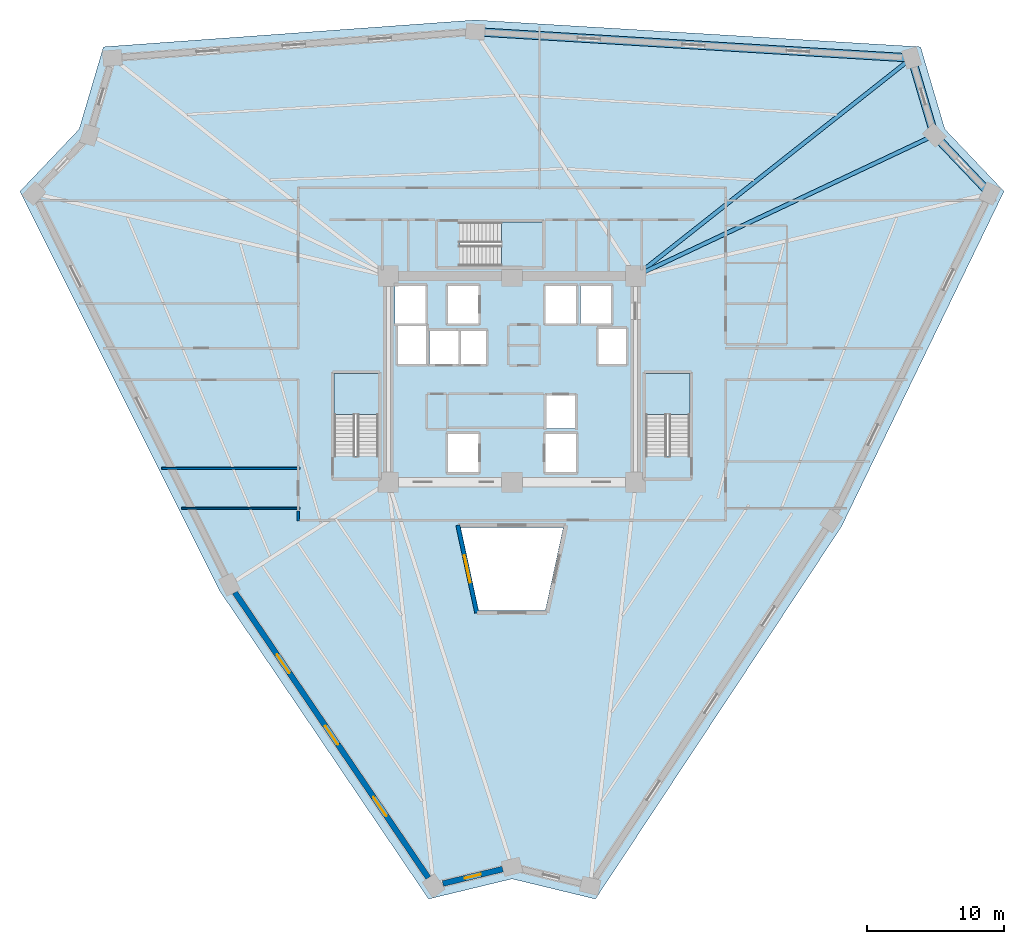
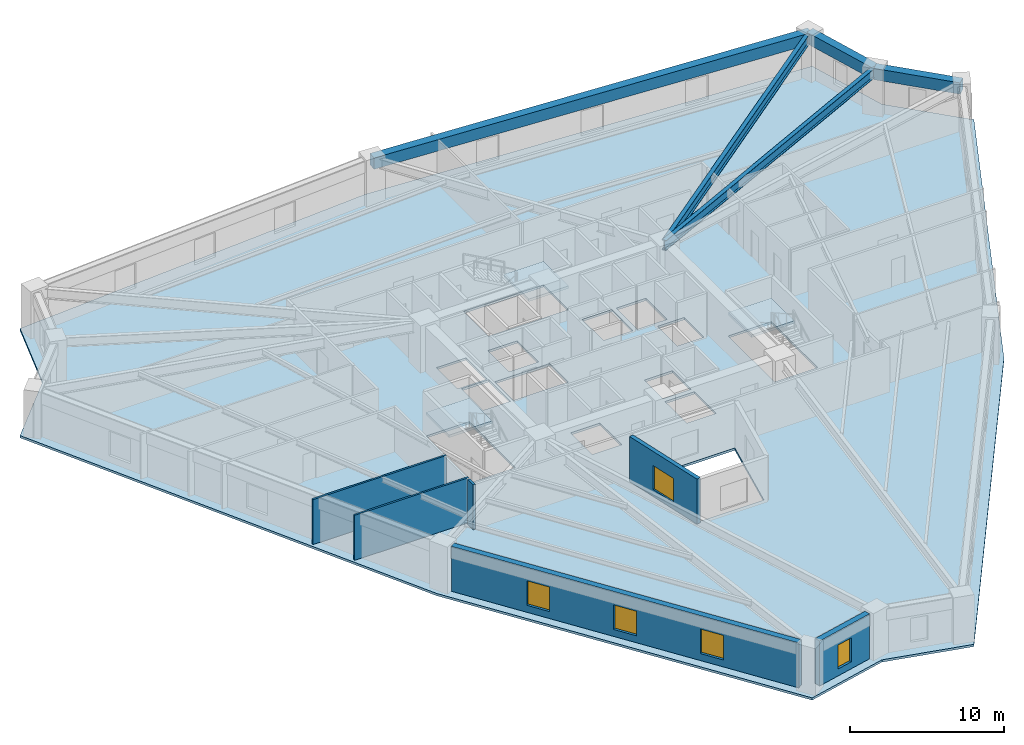
# One storey, part 2 of 8: 6 walls, 5 beams, 5 windows, 4 slabs, 5 openings, 3 elements without a shape of their own.
"""IFC4 building model written with IfcOpenShell, lengths in metres."""

from ifc_helpers import new_model, si_unit, direction, frame, frame_2d, origin, origin_2d, place, context, subcontext, project, spatial, polyline, rectangle, i_section, outline, extrude, source, transform, mapped, material, layer, layer_set, material_profile, profile_set, type_object, element, fill, aggregate, save


model = new_model("IFC4")

# Units and contexts
model_context = context("Model", 3, precision=1e-05, world=origin(), true_north=direction((0.0, 1.0)))
body_context = subcontext(model_context, "Body", "Model", "MODEL_VIEW")
ifc_project = project(units=[si_unit("LENGTHUNIT", "METRE"), si_unit("AREAUNIT", "SQUARE_METRE"), si_unit("VOLUMEUNIT", "CUBIC_METRE"), si_unit("PLANEANGLEUNIT", "RADIAN"), si_unit("MASSUNIT", "GRAM", prefix="KILO")], contexts=[model_context])

# Site, building, storey
site_placement = place(None, origin())
site = spatial("IfcSite", under=ifc_project, at=site_placement, CompositionType="ELEMENT")
building_placement = place(site_placement, origin())
building = spatial("IfcBuilding", under=site, at=building_placement, Name="Liaohun Quay Tower", CompositionType="ELEMENT")
storey_placement = place(building_placement, frame((0.0, 0.0, 170.25)))
storey = spatial("IfcBuildingStorey", under=building, at=storey_placement, Name="L44", CompositionType="ELEMENT", Elevation=170.25)

# Beams
ifc_material_1 = material(Name="Steel Q355D", Category="steel")
ifc_material_profile_1 = material_profile(ifc_material_1, i_section(OverallWidth=0.300048828125, OverallDepth=0.75, WebThickness=0.013916015625, FlangeThickness=0.02587890625, at=origin_2d()), Name="HN750x300x14x26")
ifc_profile_set_1 = profile_set([ifc_material_profile_1], Name="Steel Q355D")
beam_type_1 = type_object("IfcBeamType", Name="BM-RAD-M2", PredefinedType="BEAM", material=ifc_profile_set_1)
shared_shape_1 = source(origin(), body_context, "Body", "SweptSolid", [
    extrude(i_section(OverallWidth=0.300048828125, OverallDepth=0.75, WebThickness=0.013916015625, FlangeThickness=0.02587890625, at=origin_2d()), origin(), (0.0, 0.0, 1.0), 24.041015625),
])
beam_1_placement = place(storey_placement, frame((69.0, 61.5, 3.195068359375), z_axis=(0.904537729086, 0.426393593597, 0.0), x_axis=(-0.426393593597, 0.904537729086, 0.0)))
element("IfcBeam", 1, at=beam_1_placement, inside=storey, type_object=beam_type_1, Name="L44 Radial Primary Girder CC4-PC08", PredefinedType="BEAM", context=body_context, shape_type="MappedRepresentation", body=[
    mapped(shared_shape_1, transform((0.0, 0.0, 0.0), x_axis=(1.0, 0.0, 0.0), y_axis=(0.0, 1.0, 0.0), z_axis=(0.0, 0.0, 1.0), scale=1.0)),
])
ifc_material_profile_2 = material_profile(ifc_material_1, i_section(OverallWidth=0.300048828125, OverallDepth=0.800048828125, WebThickness=0.013916015625, FlangeThickness=0.02587890625, at=origin_2d()), Name="HN800x300x14x26")
ifc_profile_set_2 = profile_set([ifc_material_profile_2], Name="Steel Q355D")
beam_type_2 = type_object("IfcBeamType", Name="BM-RAD-M1", PredefinedType="BEAM", material=ifc_profile_set_2)
shared_shape_2 = source(origin(), body_context, "Body", "SweptSolid", [
    extrude(i_section(OverallWidth=0.300048828125, OverallDepth=0.800048828125, WebThickness=0.013916015625, FlangeThickness=0.02587890625, at=origin_2d()), origin(), (0.0, 0.0, 1.0), 25.60009765625),
])
beam_2_placement = place(storey_placement, frame((69.0, 61.5, 3.169921875), z_axis=(0.784728949554, 0.619839072447, 0.0), x_axis=(-0.619839072447, 0.784728949554, 0.0)))
element("IfcBeam", 2, at=beam_2_placement, inside=storey, type_object=beam_type_2, Name="L44 Radial Primary Girder CC4-PC07", PredefinedType="BEAM", context=body_context, shape_type="MappedRepresentation", body=[
    mapped(shared_shape_2, transform((0.0, 0.0, 0.0), x_axis=(1.0, 0.0, 0.0), y_axis=(0.0, 1.0, 0.0), z_axis=(0.0, 0.0, 1.0), scale=1.0)),
])
ifc_material_2 = material(Name="Precast concrete C55", Category="concrete")
ifc_material_profile_3 = material_profile(ifc_material_2, rectangle(XDim=0.60009765625, YDim=0.89990234375, at=origin_2d()), Name="RC600x900")
ifc_profile_set_3 = profile_set([ifc_material_profile_3], Name="Precast concrete C55")
beam_type_3 = type_object("IfcBeamType", Name="BM-SPD-Z2", PredefinedType="SPANDREL", material=ifc_profile_set_3)
shared_shape_3 = source(origin(), body_context, "Body", "SweptSolid", [
    extrude(rectangle(XDim=0.60009765625, YDim=0.89990234375, at=origin_2d()), origin(), (0.0, 0.0, 1.0), 31.817626953125),
])
beam_3_placement = place(storey_placement, frame((57.3291015625, 79.282958984375, 3.1201171875), z_axis=(0.998187067005, -0.060187866411, 0.0), x_axis=(0.060187866411, 0.998187067005, 0.0)))
element("IfcBeam", 3, at=beam_3_placement, inside=storey, type_object=beam_type_3, Name="L44 Precast Spandrel Beam PC06-PC07", PredefinedType="SPANDREL", context=body_context, shape_type="MappedRepresentation", body=[
    mapped(shared_shape_3, transform((0.0, 0.0, 0.0), x_axis=(1.0, 0.0, 0.0), y_axis=(0.0, 1.0, 0.0), z_axis=(0.0, 0.0, 1.0), scale=1.0)),
])
shared_shape_4 = source(origin(), body_context, "Body", "SweptSolid", [
    extrude(rectangle(XDim=0.60009765625, YDim=0.89990234375, at=origin_2d()), origin(), (0.0, 0.0, 1.0), 5.856201171875),
])
beam_4_placement = place(storey_placement, frame((89.089111328125, 77.367919921875, 3.1201171875), z_axis=(0.282942654403, -0.959136827736, 0.0), x_axis=(0.959136827736, 0.282942654403, 0.0)))
element("IfcBeam", 4, at=beam_4_placement, inside=storey, type_object=beam_type_3, Name="L44 Precast Spandrel Beam PC07-PC08", PredefinedType="SPANDREL", context=body_context, shape_type="MappedRepresentation", body=[
    mapped(shared_shape_4, transform((0.0, 0.0, 0.0), x_axis=(1.0, 0.0, 0.0), y_axis=(0.0, 1.0, 0.0), z_axis=(0.0, 0.0, 1.0), scale=1.0)),
])
shared_shape_5 = source(origin(), body_context, "Body", "SweptSolid", [
    extrude(rectangle(XDim=0.60009765625, YDim=0.89990234375, at=origin_2d()), origin(), (0.0, 0.0, 1.0), 5.863037109375),
])
beam_5_placement = place(storey_placement, frame((90.74609375, 71.7509765625, 3.1201171875), z_axis=(0.68923082768, -0.724541831902, 0.0), x_axis=(0.724541831902, 0.68923082768, 0.0)))
element("IfcBeam", 5, at=beam_5_placement, inside=storey, type_object=beam_type_3, Name="L44 Precast Spandrel Beam PC08-PC09", PredefinedType="SPANDREL", context=body_context, shape_type="MappedRepresentation", body=[
    mapped(shared_shape_5, transform((0.0, 0.0, 0.0), x_axis=(1.0, 0.0, 0.0), y_axis=(0.0, 1.0, 0.0), z_axis=(0.0, 0.0, 1.0), scale=1.0)),
])

# Stair, slab
ifc_material_3 = material(Name="Concrete C45", Category="concrete")
stair_type = type_object("IfcStairType", Name="STR-CORE-OFF", PredefinedType="HALF_TURN_STAIR", material=ifc_material_3)
stair_1_placement = place(storey_placement, origin())
stair_1 = element("IfcStair", 6, at=stair_1_placement, inside=storey, type_object=stair_type, Name="L44 Smokeproof Core Exit Stair ST-1", PredefinedType="HALF_TURN_STAIR")
ifc_layer_1 = layer(ifc_material_3, 0.199951171875, Name="Concrete C45", Category="concrete")
ifc_layer_set_1 = layer_set([ifc_layer_1], Name="Concrete C45")
slab_type_1 = type_object("IfcSlabType", Name="SLB-LND-200", PredefinedType="LANDING", material=ifc_layer_set_1)
slab_1_placement = place(storey_placement, frame((0.0, 0.0, 1.675048828125)))
slab_1 = element("IfcSlab", 7, at=slab_1_placement, type_object=slab_type_1, Name="ST-1 landing 1", PredefinedType="LANDING", context=body_context, shape_type="SweptSolid", body=[
    extrude(outline(polyline([(50.280029296875, 51.429931640625), (50.280029296875, 54.419921875), (47.0400390625, 54.419921875), (47.0400390625, 51.429931640625), (50.280029296875, 51.429931640625)])), origin(), (0.0, 0.0, 1.0), 0.199951171875),
])
aggregate(stair_1, [slab_1])

stair_2_placement = place(storey_placement, origin())
stair_2 = element("IfcStair", 8, at=stair_2_placement, inside=storey, type_object=stair_type, Name="L44 Smokeproof Core Exit Stair ST-2", PredefinedType="HALF_TURN_STAIR")
slab_2_placement = place(storey_placement, frame((0.0, 0.0, 1.675048828125)))
slab_2 = element("IfcSlab", 9, at=slab_2_placement, type_object=slab_type_1, Name="ST-2 landing 1", PredefinedType="LANDING", context=body_context, shape_type="SweptSolid", body=[
    extrude(outline(polyline([(72.9599609375, 51.429931640625), (72.9599609375, 54.419921875), (69.719970703125, 54.419921875), (69.719970703125, 51.429931640625), (72.9599609375, 51.429931640625)])), origin(), (0.0, 0.0, 1.0), 0.199951171875),
])
aggregate(stair_2, [slab_2])

stair_3_placement = place(storey_placement, origin())
stair_3 = element("IfcStair", 10, at=stair_3_placement, inside=storey, type_object=stair_type, Name="L44 Smokeproof Core Exit Stair ST-3", PredefinedType="HALF_TURN_STAIR")
slab_3_placement = place(storey_placement, frame((0.0, 0.0, 1.675048828125)))
slab_3 = element("IfcSlab", 11, at=slab_3_placement, type_object=slab_type_1, Name="ST-3 landing 1", PredefinedType="LANDING", context=body_context, shape_type="SweptSolid", body=[
    extrude(outline(polyline([(59.22998046875, 62.199951171875), (62.219970703125, 62.199951171875), (62.219970703125, 65.43994140625), (59.22998046875, 65.43994140625), (59.22998046875, 62.199951171875)])), origin(), (0.0, 0.0, 1.0), 0.199951171875),
])
aggregate(stair_3, [slab_3])

# Slab
ifc_layer_2 = layer(ifc_material_3, 0.179931640625, Name="Concrete C45", Category="concrete")
ifc_layer_set_2 = layer_set([ifc_layer_2], Name="Concrete C45")
slab_type_2 = type_object("IfcSlabType", Name="SLB-OFF-180", PredefinedType="FLOOR", material=ifc_layer_set_2)
slab_4_placement = place(storey_placement, frame((0.0, 0.0, -0.179931640625)))
element("IfcSlab", 12, at=slab_4_placement, inside=storey, type_object=slab_type_2, Name="L44 Structural Floor Slab", PredefinedType="FLOOR", context=body_context, shape_type="SweptSolid", body=[
    extrude(outline(polyline([(53.927001953125, 16.156982421875), (60.0, 17.6240234375), (66.072998046875, 16.156982421875), (83.971923828125, 43.25), (95.80908203125, 67.662109375), (91.5029296875, 72.18798828125), (89.736083984375, 78.180908203125), (57.323974609375, 80.135009765625), (30.263916015625, 78.180908203125), (28.4970703125, 72.18798828125), (24.19091796875, 67.662109375), (38.705078125, 38.614990234375), (53.927001953125, 16.156982421875)]), holes=[polyline([(57.56005859375, 50.030029296875), (55.340087890625, 50.030029296875), (55.340087890625, 47.2099609375), (57.56005859375, 47.2099609375), (57.56005859375, 50.030029296875)]), polyline([(50.280029296875, 54.419921875), (47.0400390625, 54.419921875), (47.0400390625, 48.409912109375), (50.280029296875, 48.409912109375), (50.280029296875, 54.419921875)]), polyline([(53.989990234375, 55.090087890625), (58.110107421875, 55.090087890625), (58.110107421875, 57.510009765625), (53.989990234375, 57.510009765625), (53.989990234375, 55.090087890625)]), polyline([(53.760009765625, 55.090087890625), (53.760009765625, 57.909912109375), (51.7099609375, 57.909912109375), (51.7099609375, 55.090087890625), (53.760009765625, 55.090087890625)]), polyline([(53.7099609375, 58.0400390625), (53.7099609375, 60.7900390625), (51.489990234375, 60.7900390625), (51.489990234375, 58.0400390625), (53.7099609375, 58.0400390625)]), polyline([(57.56005859375, 58.0400390625), (57.56005859375, 60.7900390625), (55.340087890625, 60.7900390625), (55.340087890625, 58.0400390625), (57.56005859375, 58.0400390625)]), polyline([(62.219970703125, 62.199951171875), (62.219970703125, 65.43994140625), (56.2099609375, 65.43994140625), (56.2099609375, 62.199951171875), (62.219970703125, 62.199951171875)]), polyline([(62.427001953125, 37.155029296875), (63.73388671875, 43.199951171875), (56.26611328125, 43.199951171875), (57.572998046875, 37.155029296875), (62.427001953125, 37.155029296875)]), polyline([(64.659912109375, 47.2099609375), (64.659912109375, 50.030029296875), (62.43994140625, 50.030029296875), (62.43994140625, 47.2099609375), (64.659912109375, 47.2099609375)]), polyline([(72.9599609375, 54.419921875), (69.719970703125, 54.419921875), (69.719970703125, 48.409912109375), (72.9599609375, 48.409912109375), (72.9599609375, 54.419921875)]), polyline([(64.610107421875, 50.389892578125), (64.610107421875, 52.81005859375), (62.489990234375, 52.81005859375), (62.489990234375, 50.389892578125), (64.610107421875, 50.389892578125)]), polyline([(68.2900390625, 55.090087890625), (68.2900390625, 57.659912109375), (66.2900390625, 57.659912109375), (66.2900390625, 55.090087890625), (68.2900390625, 55.090087890625)]), polyline([(64.659912109375, 58.0400390625), (64.659912109375, 60.7900390625), (62.43994140625, 60.7900390625), (62.43994140625, 58.0400390625), (64.659912109375, 58.0400390625)]), polyline([(67.2099609375, 58.0400390625), (67.2099609375, 60.7900390625), (64.989990234375, 60.7900390625), (64.989990234375, 58.0400390625), (67.2099609375, 58.0400390625)])]), origin(), (0.0, 0.0, 1.0), 0.179931640625),
])

# Wall, opening, window
ifc_material_4 = material(Name="Concrete C50", Category="concrete")
ifc_layer_3 = layer(ifc_material_4, 0.300048828125, Name="Concrete C50", Category="concrete")
ifc_layer_set_3 = layer_set([ifc_layer_3], Name="Concrete C50")
wall_type_1 = type_object("IfcWallType", Name="WAL-ATR-300", PredefinedType="SOLIDWALL", material=ifc_layer_set_3)
wall_1_placement = place(storey_placement, frame((57.43603515625, 36.985107421875, 0.0), z_axis=(0.0, 0.0, 1.0), x_axis=(-0.211414812525, 0.977396427784, 0.0)))
wall_1 = element("IfcWall", 13, at=wall_1_placement, inside=storey, type_object=wall_type_1, Name="L44 Atrium Fire Compartment Wall 1", PredefinedType="SOLIDWALL", context=body_context, shape_type="SweptSolid", body=[
    extrude(rectangle(XDim=6.53271484375, YDim=0.300048828125, at=frame_2d((3.266357421875, 0.0))), origin(), (0.0, 0.0, 1.0), 3.570068359375),
])
shared_shape_6 = source(origin(), body_context, "Body", "SweptSolid", [
    extrude(rectangle(XDim=2.0, YDim=1.89990234375, at=frame_2d((1.0, 0.949951171875))), frame((0.0, 0.159912109375, 0.0), z_axis=(0.0, -1.0, 0.0), x_axis=(1.0, 0.0, 0.0)), (0.0, 0.0, 1.0), 0.320068359375),
])
opening_1_placement = place(wall_1_placement, frame((2.26611328125, 0.0, 0.550048828125)))
opening_1 = element("IfcOpeningElement", 14, at=opening_1_placement, cuts=wall_1, Name="Opening W07", PredefinedType="OPENING", context=body_context, shape_type="MappedRepresentation", body=[
    mapped(shared_shape_6, transform((0.0, 0.0, 0.0), x_axis=(1.0, 0.0, 0.0), y_axis=(0.0, 1.0, 0.0), z_axis=(0.0, 0.0, 1.0), scale=1.0)),
])
ifc_material_5 = material(Name="Class A 180-min fire-resistant insulated glazing", Category="glass")
window_type_1 = type_object("IfcWindowType", Name="WIN-ATR-FIR", PartitioningType="DOUBLE_PANEL_VERTICAL", PredefinedType="WINDOW", material=ifc_material_5)
shared_shape_7 = source(origin(), body_context, "Body", "SweptSolid", [
    extrude(rectangle(XDim=2.0, YDim=1.89990234375, at=frame_2d((1.0, 0.949951171875))), frame((0.0, 0.030029296875, 0.0), z_axis=(0.0, -1.0, 0.0), x_axis=(1.0, 0.0, 0.0)), (0.0, 0.0, 1.0), 0.06005859375),
])
window_1_placement = place(opening_1_placement, origin())
window_1 = element("IfcWindow", 15, at=window_1_placement, inside=storey, type_object=window_type_1, Name="L44 Atrium Fire-Resistant Glazing W07-1", OverallHeight=1.89990234375, OverallWidth=2.0, PartitioningType="DOUBLE_PANEL_VERTICAL", PredefinedType="WINDOW", context=body_context, shape_type="MappedRepresentation", body=[
    mapped(shared_shape_7, transform((0.0, 0.0, 0.0), x_axis=(1.0, 0.0, 0.0), y_axis=(0.0, 1.0, 0.0), z_axis=(0.0, 0.0, 1.0), scale=1.0)),
])
fill(opening_1, window_1)

# Wall, openings, windows
ifc_material_6 = material(Name="Precast concrete C50 insulated sandwich", Category="concrete")
ifc_layer_4 = layer(ifc_material_6, 0.419921875, Name="Precast concrete C50 insulated sandwich", Category="concrete")
ifc_layer_set_4 = layer_set([ifc_layer_4], Name="Precast concrete C50 insulated sandwich")
wall_type_2 = type_object("IfcWallType", Name="WAL-EXT-Z12", PredefinedType="SOLIDWALL", material=ifc_layer_set_4)
wall_2_placement = place(storey_placement, frame((39.826904296875, 38.47412109375, 0.0), z_axis=(0.0, 0.0, 1.0), x_axis=(0.561086370312, -0.827757262155, 0.0)))
wall_2 = element("IfcWall", 16, at=wall_2_placement, inside=storey, type_object=wall_type_2, Name="L44 Brutalist Precast Pier Wall 11", PredefinedType="SOLIDWALL", context=body_context, shape_type="SweptSolid", body=[
    extrude(rectangle(XDim=25.105224609375, YDim=0.419921875, at=frame_2d((12.552734375, 0.0))), origin(), (0.0, 0.0, 1.0), 3.570068359375),
])
shared_shape_8 = source(origin(), body_context, "Body", "SweptSolid", [
    extrude(rectangle(XDim=1.64990234375, YDim=1.949951171875, at=frame_2d((0.824951171875, 0.97509765625))), frame((0.0, 0.219970703125, 0.0), z_axis=(0.0, -1.0, 0.0), x_axis=(1.0, 0.0, 0.0)), (0.0, 0.0, 1.0), 0.43994140625),
])
opening_2_placement = place(wall_2_placement, frame((5.450927734375, 0.0, 0.550048828125)))
opening_2 = element("IfcOpeningElement", 17, at=opening_2_placement, cuts=wall_2, Name="Opening W02", PredefinedType="OPENING", context=body_context, shape_type="MappedRepresentation", body=[
    mapped(shared_shape_8, transform((0.0, 0.0, 0.0), x_axis=(1.0, 0.0, 0.0), y_axis=(0.0, 1.0, 0.0), z_axis=(0.0, 0.0, 1.0), scale=1.0)),
])
opening_3_placement = place(wall_2_placement, frame((11.72802734375, 0.0, 0.550048828125)))
opening_3 = element("IfcOpeningElement", 18, at=opening_3_placement, cuts=wall_2, Name="Opening W02", PredefinedType="OPENING", context=body_context, shape_type="MappedRepresentation", body=[
    mapped(shared_shape_8, transform((0.0, 0.0, 0.0), x_axis=(1.0, 0.0, 0.0), y_axis=(0.0, 1.0, 0.0), z_axis=(0.0, 0.0, 1.0), scale=1.0)),
])
opening_4_placement = place(wall_2_placement, frame((18.00390625, 0.0, 0.550048828125)))
opening_4 = element("IfcOpeningElement", 19, at=opening_4_placement, cuts=wall_2, Name="Opening W02", PredefinedType="OPENING", context=body_context, shape_type="MappedRepresentation", body=[
    mapped(shared_shape_8, transform((0.0, 0.0, 0.0), x_axis=(1.0, 0.0, 0.0), y_axis=(0.0, 1.0, 0.0), z_axis=(0.0, 0.0, 1.0), scale=1.0)),
])
ifc_material_7 = material(Name="Triple Low-E argon glazing in thermally broken aluminium", Category="aluminium")
window_type_2 = type_object("IfcWindowType", Name="WIN-PUN-Z2", PartitioningType="DOUBLE_PANEL_VERTICAL", PredefinedType="WINDOW", material=ifc_material_7)
shared_shape_9 = source(origin(), body_context, "Body", "SweptSolid", [
    extrude(rectangle(XDim=1.64990234375, YDim=1.949951171875, at=frame_2d((0.824951171875, 0.97509765625))), frame((0.0, 0.030029296875, 0.0), z_axis=(0.0, -1.0, 0.0), x_axis=(1.0, 0.0, 0.0)), (0.0, 0.0, 1.0), 0.06005859375),
])
window_2_placement = place(opening_2_placement, origin())
window_2 = element("IfcWindow", 20, at=window_2_placement, inside=storey, type_object=window_type_2, Name="L44 Recessed Cold-Climate Punched Window 11-1", OverallHeight=1.949951171875, OverallWidth=1.64990234375, PartitioningType="DOUBLE_PANEL_VERTICAL", PredefinedType="WINDOW", context=body_context, shape_type="MappedRepresentation", body=[
    mapped(shared_shape_9, transform((0.0, 0.0, 0.0), x_axis=(1.0, 0.0, 0.0), y_axis=(0.0, 1.0, 0.0), z_axis=(0.0, 0.0, 1.0), scale=1.0)),
])
fill(opening_2, window_2)
window_3_placement = place(opening_3_placement, origin())
window_3 = element("IfcWindow", 21, at=window_3_placement, inside=storey, type_object=window_type_2, Name="L44 Recessed Cold-Climate Punched Window 11-2", OverallHeight=1.949951171875, OverallWidth=1.64990234375, PartitioningType="DOUBLE_PANEL_VERTICAL", PredefinedType="WINDOW", context=body_context, shape_type="MappedRepresentation", body=[
    mapped(shared_shape_9, transform((0.0, 0.0, 0.0), x_axis=(1.0, 0.0, 0.0), y_axis=(0.0, 1.0, 0.0), z_axis=(0.0, 0.0, 1.0), scale=1.0)),
])
fill(opening_3, window_3)
window_4_placement = place(opening_4_placement, origin())
window_4 = element("IfcWindow", 22, at=window_4_placement, inside=storey, type_object=window_type_2, Name="L44 Recessed Cold-Climate Punched Window 11-3", OverallHeight=1.949951171875, OverallWidth=1.64990234375, PartitioningType="DOUBLE_PANEL_VERTICAL", PredefinedType="WINDOW", context=body_context, shape_type="MappedRepresentation", body=[
    mapped(shared_shape_9, transform((0.0, 0.0, 0.0), x_axis=(1.0, 0.0, 0.0), y_axis=(0.0, 1.0, 0.0), z_axis=(0.0, 0.0, 1.0), scale=1.0)),
])
fill(opening_4, window_4)

# Wall, opening, window
wall_3_placement = place(storey_placement, frame((54.970947265625, 17.283935546875, 0.0), z_axis=(0.0, 0.0, 1.0), x_axis=(0.972080495349, 0.234647630635, 0.0)))
wall_3 = element("IfcWall", 23, at=wall_3_placement, inside=storey, type_object=wall_type_2, Name="L44 Brutalist Precast Pier Wall 12", PredefinedType="SOLIDWALL", context=body_context, shape_type="SweptSolid", body=[
    extrude(rectangle(XDim=4.4833984375, YDim=0.419921875, at=frame_2d((2.24169921875, 0.0))), origin(), (0.0, 0.0, 1.0), 3.570068359375),
])
shared_shape_10 = source(origin(), body_context, "Body", "SweptSolid", [
    extrude(rectangle(XDim=1.199951171875, YDim=1.89990234375, at=frame_2d((0.60009765625, 0.949951171875))), frame((0.0, 0.219970703125, 0.0), z_axis=(0.0, -1.0, 0.0), x_axis=(1.0, 0.0, 0.0)), (0.0, 0.0, 1.0), 0.43994140625),
])
opening_5_placement = place(wall_3_placement, frame((1.64208984375, 0.0, 0.550048828125)))
opening_5 = element("IfcOpeningElement", 24, at=opening_5_placement, cuts=wall_3, Name="Opening W05", PredefinedType="OPENING", context=body_context, shape_type="MappedRepresentation", body=[
    mapped(shared_shape_10, transform((0.0, 0.0, 0.0), x_axis=(1.0, 0.0, 0.0), y_axis=(0.0, 1.0, 0.0), z_axis=(0.0, 0.0, 1.0), scale=1.0)),
])
ifc_material_8 = material(Name="Triple Low-E corner notch glazing", Category="glass")
window_type_3 = type_object("IfcWindowType", Name="WIN-NOTCH", PartitioningType="SINGLE_PANEL", PredefinedType="WINDOW", material=ifc_material_8)
shared_shape_11 = source(origin(), body_context, "Body", "SweptSolid", [
    extrude(rectangle(XDim=1.199951171875, YDim=1.89990234375, at=frame_2d((0.60009765625, 0.949951171875))), frame((0.0, 0.030029296875, 0.0), z_axis=(0.0, -1.0, 0.0), x_axis=(1.0, 0.0, 0.0)), (0.0, 0.0, 1.0), 0.06005859375),
])
window_5_placement = place(opening_5_placement, origin())
window_5 = element("IfcWindow", 25, at=window_5_placement, inside=storey, type_object=window_type_3, Name="L44 Corner Notch Window W05-12", OverallHeight=1.89990234375, OverallWidth=1.199951171875, PartitioningType="SINGLE_PANEL", PredefinedType="WINDOW", context=body_context, shape_type="MappedRepresentation", body=[
    mapped(shared_shape_11, transform((0.0, 0.0, 0.0), x_axis=(1.0, 0.0, 0.0), y_axis=(0.0, 1.0, 0.0), z_axis=(0.0, 0.0, 1.0), scale=1.0)),
])
fill(opening_5, window_5)

# Walls
ifc_material_9 = material(Name="Autoclaved aerated concrete blockwork", Category="masonry")
ifc_layer_5 = layer(ifc_material_9, 0.179931640625, Name="Autoclaved aerated concrete blockwork", Category="masonry")
ifc_layer_set_5 = layer_set([ifc_layer_5], Name="Autoclaved aerated concrete blockwork")
wall_type_3 = type_object("IfcWallType", Name="WAL-PRT-COR", PredefinedType="PARTITIONING", material=ifc_layer_set_5)
wall_4_placement = place(storey_placement, frame((44.43994140625, 43.669921875, 0.0), z_axis=(0.0, 0.0, 1.0), x_axis=(0.0, 1.0, 0.0)))
element("IfcWall", 26, at=wall_4_placement, inside=storey, type_object=wall_type_3, Name="L44 Interior Partition Wall 046", PredefinedType="PARTITIONING", context=body_context, shape_type="SweptSolid", body=[
    extrude(rectangle(XDim=0.715087890625, YDim=0.179931640625, at=frame_2d((0.357421875, 0.0))), origin(), (0.0, 0.0, 1.0), 3.570068359375),
])
ifc_material_10 = material(Name="Gypsum board on twin steel studs", Category="steel")
ifc_layer_6 = layer(ifc_material_10, 0.139892578125, Name="Gypsum board on twin steel studs", Category="steel")
ifc_layer_set_6 = layer_set([ifc_layer_6], Name="Gypsum board on twin steel studs")
wall_type_4 = type_object("IfcWallType", Name="WAL-PRT-OFF", PredefinedType="PARTITIONING", material=ifc_layer_set_6)
wall_5_placement = place(storey_placement, frame((44.5400390625, 44.60009765625, 0.0), z_axis=(0.0, 0.0, 1.0), x_axis=(-1.0, 0.0, 0.0)))
element("IfcWall", 27, at=wall_5_placement, inside=storey, type_object=wall_type_4, Name="L44 Interior Partition Wall 049", PredefinedType="PARTITIONING", context=body_context, shape_type="SweptSolid", body=[
    extrude(rectangle(XDim=8.580078125, YDim=0.139892578125, at=frame_2d((4.2900390625, 0.0))), origin(), (0.0, 0.0, 1.0), 3.570068359375),
])
wall_6_placement = place(storey_placement, frame((44.5400390625, 47.5, 0.0), z_axis=(0.0, 0.0, 1.0), x_axis=(-1.0, 0.0, 0.0)))
element("IfcWall", 28, at=wall_6_placement, inside=storey, type_object=wall_type_4, Name="L44 Interior Partition Wall 050", PredefinedType="PARTITIONING", context=body_context, shape_type="SweptSolid", body=[
    extrude(rectangle(XDim=10.029052734375, YDim=0.139892578125, at=frame_2d((5.0146484375, 0.0))), origin(), (0.0, 0.0, 1.0), 3.570068359375),
])

save(model, "model.ifc")
